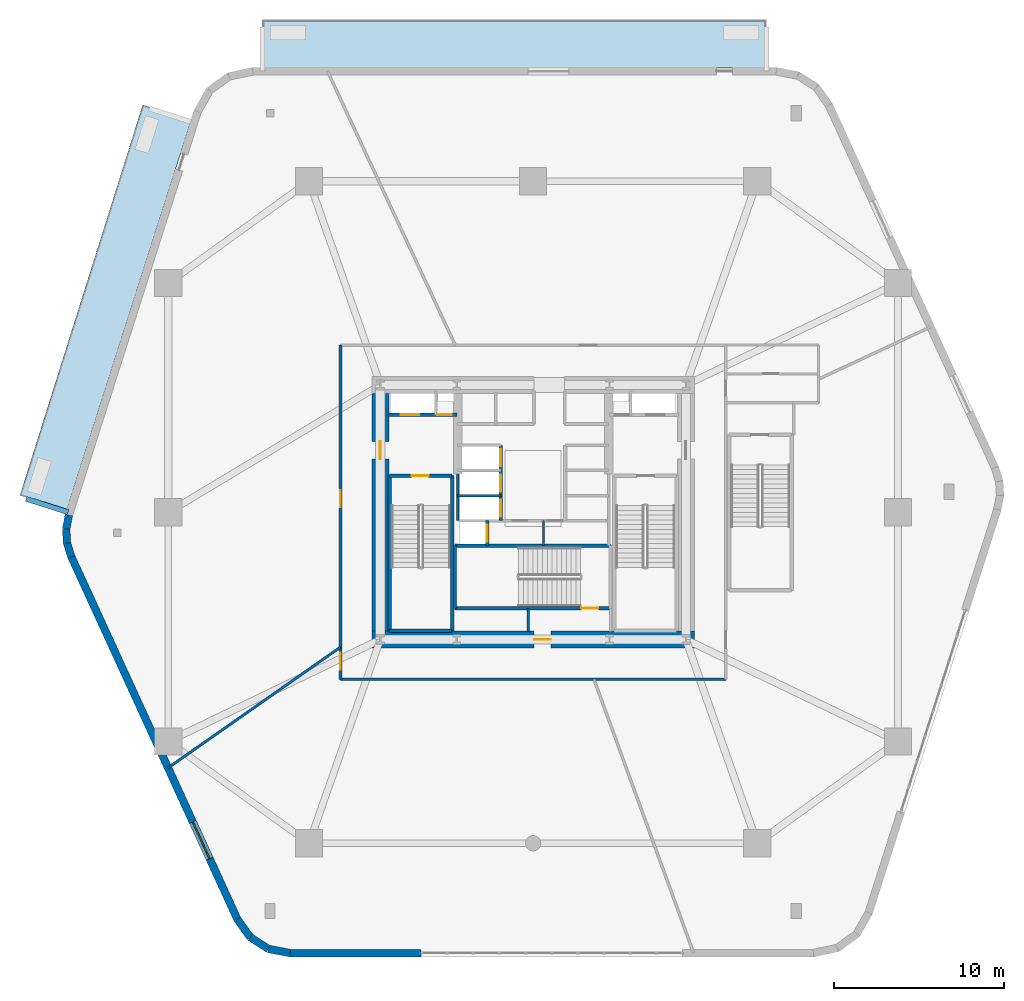
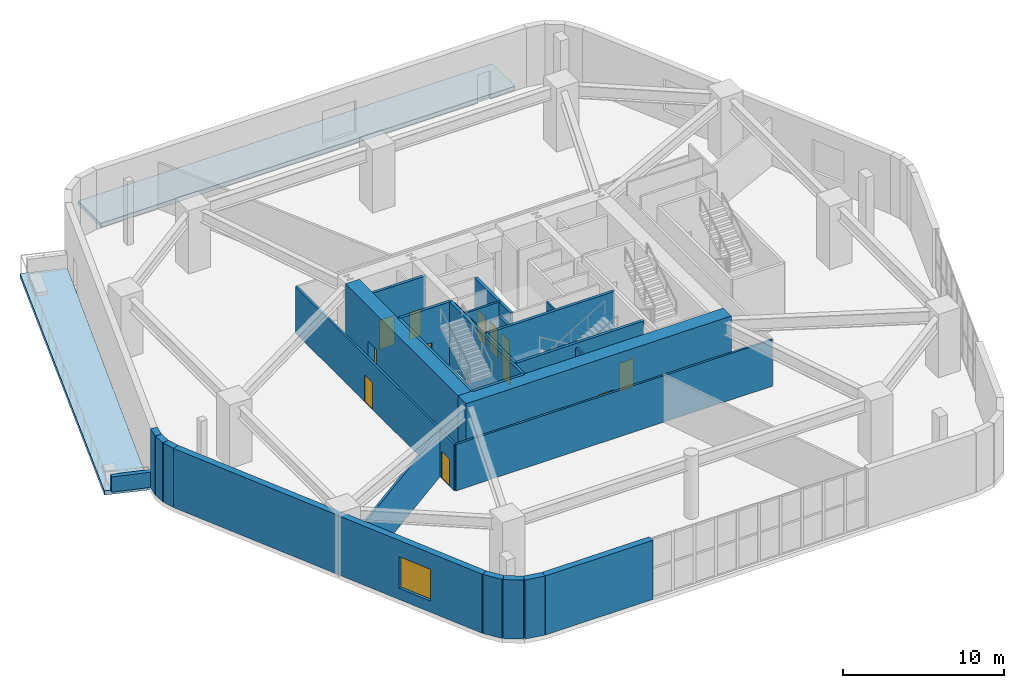
# One storey, part 11 of 15: 28 walls, 12 doors, 2 slabs, 1 window, 13 openings.
"""IFC4 building model written with IfcOpenShell, lengths in metres."""

from ifc_helpers import new_model, si_unit, direction, frame, frame_2d, origin, place, context, subcontext, project, spatial, polyline, rectangle, outline, extrude, material, layer, layer_set, type_object, element, fill, save


model = new_model("IFC4")

# Units and contexts
model_context = context("Model", 3, precision=1e-05, world=origin(), true_north=direction((0.0, 1.0)))
body_context = subcontext(model_context, "Body", "Model", "MODEL_VIEW")
ifc_project = project(units=[si_unit("LENGTHUNIT", "METRE"), si_unit("AREAUNIT", "SQUARE_METRE"), si_unit("VOLUMEUNIT", "CUBIC_METRE"), si_unit("PLANEANGLEUNIT", "RADIAN"), si_unit("MASSUNIT", "GRAM", prefix="KILO")], contexts=[model_context])

# Site, building, storey
site_placement = place(None, origin())
site = spatial("IfcSite", under=ifc_project, at=site_placement, CompositionType="ELEMENT")
building_placement = place(site_placement, origin())
building = spatial("IfcBuilding", under=site, at=building_placement, Name="Kilnhurst Terrace Hotel", CompositionType="ELEMENT")
storey_placement = place(building_placement, frame((0.0, 0.0, 23.39990234375)))
storey = spatial("IfcBuildingStorey", under=building, at=storey_placement, Name="L04", CompositionType="ELEMENT", Elevation=23.39990234375)

# Slabs
ifc_material_1 = material(Name="Concrete C50/60", Category="concrete")
ifc_layer_1 = layer(ifc_material_1, 0.320068359375, Name="Concrete C50/60")
ifc_layer_set_1 = layer_set([ifc_layer_1], Name="Concrete C50/60")
slab_type = type_object("IfcSlabType", Name="SLB-TERR-320", PredefinedType="FLOOR", material=ifc_layer_set_1)
slab_1_placement = place(storey_placement, frame((0.0, 0.0, -0.31982421875)))
element("IfcSlab", 1, at=slab_1_placement, inside=storey, type_object=slab_type, Name="L04 Cantilevered Planted Terrace Slab TERR-1", PredefinedType="FLOOR", context=body_context, shape_type="SweptSolid", body=[
    extrude(outline(polyline([(13.749267578125, 29.0), (13.749267578125, 26.179931640625), (-15.949951171875, 26.179931640625), (-15.949951171875, 29.0), (13.749267578125, 29.0)])), origin(), (0.0, 0.0, 1.0), 0.31982421875),
])
slab_2_placement = place(storey_placement, frame((0.0, 0.0, -0.31982421875)))
element("IfcSlab", 2, at=slab_2_placement, inside=storey, type_object=slab_type, Name="L04 Cantilevered Planted Terrace Slab TERR-2", PredefinedType="FLOOR", context=body_context, shape_type="SweptSolid", body=[
    extrude(outline(polyline([(-20.16796875, 23.0380859375), (-27.49658203125, 0.07080078125), (-30.233154296875, 1.0), (-23.0009765625, 24.0), (-20.16796875, 23.0380859375)])), origin(), (0.0, 0.0, 1.0), 0.31982421875),
])

# Walls
ifc_material_2 = material(Name="Precast concrete C40/50", Category="concrete")
ifc_layer_2 = layer(ifc_material_2, 0.449951171875, Name="Precast concrete C40/50")
ifc_layer_set_2 = layer_set([ifc_layer_2], Name="Precast concrete C40/50")
wall_type_1 = type_object("IfcWallType", Name="WL-BRK-450", PredefinedType="SOLIDWALL", material=ifc_layer_set_2)
wall_1_placement = place(storey_placement, frame((-17.426513671875, -23.98583984375, 0.0), z_axis=(0.0, 0.0, 1.0), x_axis=(0.580668110146, -0.814140372331, 0.0)))
element("IfcWall", 3, at=wall_1_placement, inside=storey, type_object=wall_type_1, Name="L04 Rounded Corner Brick Wall C1.1", PredefinedType="SOLIDWALL", context=body_context, shape_type="SweptSolid", body=[
    extrude(rectangle(XDim=1.296630859375, YDim=0.449951171875, at=frame_2d((0.6484375, 0.0))), origin(), (0.0, 0.0, 1.0), 4.47998046875),
])
wall_2_placement = place(storey_placement, frame((-16.673583984375, -25.04150390625, 0.0), z_axis=(0.0, 0.0, 1.0), x_axis=(0.84167601366, -0.539982859014, 0.0)))
element("IfcWall", 4, at=wall_2_placement, inside=storey, type_object=wall_type_1, Name="L04 Rounded Corner Brick Wall C1.2", PredefinedType="SOLIDWALL", context=body_context, shape_type="SweptSolid", body=[
    extrude(rectangle(XDim=1.274658203125, YDim=0.449951171875, at=frame_2d((0.63720703125, 0.0))), origin(), (0.0, 0.0, 1.0), 4.47998046875),
])
wall_3_placement = place(storey_placement, frame((-15.600830078125, -25.729736328125, 0.0), z_axis=(0.0, 0.0, 1.0), x_axis=(0.981932506301, -0.189231480121, 0.0)))
element("IfcWall", 5, at=wall_3_placement, inside=storey, type_object=wall_type_1, Name="L04 Rounded Corner Brick Wall C1.3", PredefinedType="SOLIDWALL", context=body_context, shape_type="SweptSolid", body=[
    extrude(rectangle(XDim=1.296630859375, YDim=0.449951171875, at=frame_2d((0.6484375, 0.0))), origin(), (0.0, 0.0, 1.0), 4.47998046875),
])
wall_4_placement = place(storey_placement, frame((-27.35791015625, -0.169189453125, 0.0), z_axis=(0.0, 0.0, 1.0), x_axis=(-0.184673610867, -0.982799907127, 0.0)))
element("IfcWall", 6, at=wall_4_placement, inside=storey, type_object=wall_type_1, Name="L04 Rounded Corner Brick Wall C6.1", PredefinedType="SOLIDWALL", context=body_context, shape_type="SweptSolid", body=[
    extrude(rectangle(XDim=0.842041015625, YDim=0.449951171875, at=frame_2d((0.4208984375, 0.0))), origin(), (0.0, 0.0, 1.0), 4.47998046875),
])
wall_5_placement = place(storey_placement, frame((-27.513427734375, -0.996826171875, 0.0), z_axis=(0.0, 0.0, 1.0), x_axis=(0.060139031931, -0.998190010388, 0.0)))
element("IfcWall", 7, at=wall_5_placement, inside=storey, type_object=wall_type_1, Name="L04 Rounded Corner Brick Wall C6.2", PredefinedType="SOLIDWALL", context=body_context, shape_type="SweptSolid", body=[
    extrude(rectangle(XDim=0.828125, YDim=0.449951171875, at=frame_2d((0.4140625, 0.0))), origin(), (0.0, 0.0, 1.0), 4.47998046875),
])
wall_6_placement = place(storey_placement, frame((-27.463623046875, -1.823486328125, 0.0), z_axis=(0.0, 0.0, 1.0), x_axis=(0.301575430082, -0.953442321261, 0.0)))
element("IfcWall", 8, at=wall_6_placement, inside=storey, type_object=wall_type_1, Name="L04 Rounded Corner Brick Wall C6.3", PredefinedType="SOLIDWALL", context=body_context, shape_type="SweptSolid", body=[
    extrude(rectangle(XDim=0.842041015625, YDim=0.449951171875, at=frame_2d((0.4208984375, 0.0))), origin(), (0.0, 0.0, 1.0), 4.47998046875),
])
wall_7_placement = place(storey_placement, frame((-14.32763671875, -25.97509765625, 0.0), z_axis=(0.0, 0.0, 1.0), x_axis=(1.0, 0.0, 0.0)))
element("IfcWall", 9, at=wall_7_placement, inside=storey, type_object=wall_type_1, Name="L04 Face 1 Brick Pier 1", PredefinedType="SOLIDWALL", context=body_context, shape_type="SweptSolid", body=[
    extrude(rectangle(XDim=7.712890625, YDim=0.449951171875, at=frame_2d((3.8564453125, 0.0))), origin(), (0.0, 0.0, 1.0), 4.47998046875),
])

# Wall, opening, window
wall_8_placement = place(storey_placement, frame((-27.209716796875, -2.626220703125, 0.0), z_axis=(0.0, 0.0, 1.0), x_axis=(0.416421752646, -0.909171559126, 0.0)))
wall_8 = element("IfcWall", 10, at=wall_8_placement, inside=storey, type_object=wall_type_1, Name="L04 Exterior Brick Facade Wall F6", PredefinedType="SOLIDWALL", context=body_context, shape_type="SweptSolid", body=[
    extrude(rectangle(XDim=23.493408203125, YDim=0.449951171875, at=frame_2d((11.74658203125, 0.0))), origin(), (0.0, 0.0, 1.0), 4.47998046875),
])
opening_1_placement = place(wall_8_placement, frame((17.173095703125, 0.0, 0.85009765625)))
opening_1 = element("IfcOpeningElement", 11, at=opening_1_placement, cuts=wall_8, Name="Opening W-07", PredefinedType="OPENING", context=body_context, shape_type="SweptSolid", body=[
    extrude(rectangle(XDim=2.39990234375, YDim=2.39990234375, at=frame_2d((1.199951171875, 1.199951171875))), frame((0.0, 0.23486328125, 0.0), z_axis=(0.0, -1.0, 0.0), x_axis=(1.0, 0.0, 0.0)), (0.0, 0.0, 1.0), 0.469970703125),
])
ifc_material_3 = material(Name="Thermally Broken Bronze Aluminium Alloy 6063-T6 and Low-E Glass", Category="aluminium")
window_type = type_object("IfcWindowType", Name="WIN-2400X2400", PartitioningType="SINGLE_PANEL", PredefinedType="WINDOW", material=ifc_material_3)
window_placement = place(opening_1_placement, origin())
window = element("IfcWindow", 12, at=window_placement, inside=storey, type_object=window_type, Name="L04 Deep-Set Masonry Window F6.1", OverallHeight=2.39990234375, OverallWidth=2.39990234375, PartitioningType="SINGLE_PANEL", PredefinedType="WINDOW", context=body_context, shape_type="SweptSolid", body=[
    extrude(rectangle(XDim=2.39990234375, YDim=2.39990234375, at=frame_2d((1.199951171875, 1.199951171875))), frame((0.0, 0.030029296875, 0.0), z_axis=(0.0, -1.0, 0.0), x_axis=(1.0, 0.0, 0.0)), (0.0, 0.0, 1.0), 0.06005859375),
])
fill(opening_1, window)

# Wall, openings, doors
ifc_material_4 = material(Name="Acoustic Double-Gypsum Corridor Partition Assembly")
ifc_layer_3 = layer(ifc_material_4, 0.14990234375, Name="Acoustic Double-Gypsum Corridor Partition Assembly")
ifc_layer_set_3 = layer_set([ifc_layer_3], Name="Acoustic Double-Gypsum Corridor Partition Assembly")
wall_type_2 = type_object("IfcWallType", Name="WL-COR-150", PredefinedType="PARTITIONING", material=ifc_layer_set_3)
wall_9_placement = place(storey_placement, frame((-11.35009765625, -9.85009765625, 0.0), z_axis=(0.0, 0.0, 1.0), x_axis=(0.0, 1.0, 0.0)))
wall_9 = element("IfcWall", 13, at=wall_9_placement, inside=storey, type_object=wall_type_2, Name="L04 Interior Wall WL-L04-COR-01", PredefinedType="PARTITIONING", context=body_context, shape_type="SweptSolid", body=[
    extrude(rectangle(XDim=19.7001953125, YDim=0.14990234375, at=frame_2d((9.85009765625, 0.0))), origin(), (0.0, 0.0, 1.0), 3.52197265625),
])
opening_2_placement = place(wall_9_placement, frame((0.571044921875, 0.0, 0.0)))
opening_2 = element("IfcOpeningElement", 14, at=opening_2_placement, cuts=wall_9, Name="Opening D-10A", PredefinedType="OPENING", context=body_context, shape_type="SweptSolid", body=[
    extrude(rectangle(XDim=1.0, YDim=2.030029296875, at=frame_2d((0.5, 1.01513671875))), frame((0.0, 0.0849609375, 0.0), z_axis=(0.0, -1.0, 0.0), x_axis=(1.0, 0.0, 0.0)), (0.0, 0.0, 1.0), 0.169921875),
])
opening_3_placement = place(wall_9_placement, frame((10.155029296875, 0.0, 0.0)))
opening_3 = element("IfcOpeningElement", 15, at=opening_3_placement, cuts=wall_9, Name="Opening D-10A", PredefinedType="OPENING", context=body_context, shape_type="SweptSolid", body=[
    extrude(rectangle(XDim=1.0, YDim=2.030029296875, at=frame_2d((0.5, 1.01513671875))), frame((0.0, 0.0849609375, 0.0), z_axis=(0.0, -1.0, 0.0), x_axis=(1.0, 0.0, 0.0)), (0.0, 0.0, 1.0), 0.169921875),
])
ifc_material_5 = material(Name="Solid-Core American White Oak Interior Door")
door_type_1 = type_object("IfcDoorType", Name="DR-INT-1000", OperationType="NOTDEFINED", PredefinedType="DOOR", material=ifc_material_5)
door_1_placement = place(opening_2_placement, origin())
door_1 = element("IfcDoor", 16, at=door_1_placement, inside=storey, type_object=door_type_1, Name="L04 Botanical Spa Reception and Hydrotherapy Suite Door", OperationType="SINGLE_SWING_LEFT", OverallHeight=2.030029296875, OverallWidth=1.0, PredefinedType="DOOR", context=body_context, shape_type="SweptSolid", body=[
    extrude(rectangle(XDim=1.0, YDim=2.030029296875, at=frame_2d((0.5, 1.01513671875))), frame((0.0, 0.02490234375, 0.0), z_axis=(0.0, -1.0, 0.0), x_axis=(1.0, 0.0, 0.0)), (0.0, 0.0, 1.0), 0.050048828125),
])
fill(opening_2, door_1)
door_2_placement = place(opening_3_placement, origin())
door_2 = element("IfcDoor", 17, at=door_2_placement, inside=storey, type_object=door_type_1, Name="L04 Spa Locker and Changing Bathroom Suite Door", OperationType="SINGLE_SWING_RIGHT", OverallHeight=2.030029296875, OverallWidth=1.0, PredefinedType="DOOR", context=body_context, shape_type="SweptSolid", body=[
    extrude(rectangle(XDim=1.0, YDim=2.030029296875, at=frame_2d((0.5, 1.01513671875))), frame((0.0, 0.02490234375, 0.0), z_axis=(0.0, -1.0, 0.0), x_axis=(1.0, 0.0, 0.0)), (0.0, 0.0, 1.0), 0.050048828125),
])
fill(opening_3, door_2)

# Wall
wall_10_placement = place(storey_placement, frame((11.35009765625, -9.85009765625, 0.0), z_axis=(0.0, 0.0, 1.0), x_axis=(-1.0, 0.0, 0.0)))
element("IfcWall", 18, at=wall_10_placement, inside=storey, type_object=wall_type_2, Name="L04 Interior Wall WL-L04-COR-04", PredefinedType="PARTITIONING", context=body_context, shape_type="SweptSolid", body=[
    extrude(rectangle(XDim=22.7001953125, YDim=0.14990234375, at=frame_2d((11.35009765625, 0.0))), origin(), (0.0, 0.0, 1.0), 3.52197265625),
])

# Wall, opening, door
ifc_material_6 = material(Name="Concrete C80/95", Category="concrete")
ifc_layer_4 = layer(ifc_material_6, 1.0, Name="Concrete C80/95")
ifc_layer_set_4 = layer_set([ifc_layer_4], Name="Concrete C80/95")
wall_type_3 = type_object("IfcWallType", Name="WL-CORE-1000", PredefinedType="SHEAR", material=ifc_layer_set_4)
wall_11_placement = place(storey_placement, frame((-9.5, -7.5, 0.0), z_axis=(0.0, 0.0, 1.0), x_axis=(1.0, 0.0, 0.0)))
wall_11 = element("IfcWall", 19, at=wall_11_placement, inside=storey, type_object=wall_type_3, Name="L04 Core South Shear Wall", PredefinedType="SHEAR", context=body_context, shape_type="SweptSolid", body=[
    extrude(rectangle(XDim=19.0, YDim=1.0, at=frame_2d((9.5, 0.0))), origin(), (0.0, 0.0, 1.0), 4.800048828125),
])
opening_4_placement = place(wall_11_placement, frame((9.550048828125, 0.0, 0.0)))
opening_4 = element("IfcOpeningElement", 20, at=opening_4_placement, cuts=wall_11, Name="Opening D-90B", PredefinedType="OPENING", context=body_context, shape_type="SweptSolid", body=[
    extrude(rectangle(XDim=1.0, YDim=2.14990234375, at=frame_2d((0.5, 1.074951171875))), frame((0.0, 0.510009765625, 0.0), z_axis=(0.0, -1.0, 0.0), x_axis=(1.0, 0.0, 0.0)), (0.0, 0.0, 1.0), 1.02001953125),
])
ifc_material_7 = material(Name="Painted Hollow Metal Steel ASTM A36 Fire Door", Category="steel")
door_type_2 = type_object("IfcDoorType", Name="DR-FD90-1000", OperationType="NOTDEFINED", PredefinedType="DOOR", material=ifc_material_7)
door_3_placement = place(opening_4_placement, origin())
door_3 = element("IfcDoor", 21, at=door_3_placement, inside=storey, type_object=door_type_2, Name="L04 Stair ST-3 Corridor Door", OperationType="SINGLE_SWING_RIGHT", OverallHeight=2.14990234375, OverallWidth=1.0, PredefinedType="DOOR", context=body_context, shape_type="SweptSolid", body=[
    extrude(rectangle(XDim=1.0, YDim=2.14990234375, at=frame_2d((0.5, 1.074951171875))), frame((0.0, 0.02490234375, 0.0), z_axis=(0.0, -1.0, 0.0), x_axis=(1.0, 0.0, 0.0)), (0.0, 0.0, 1.0), 0.050048828125),
])
fill(opening_4, door_3)

wall_12_placement = place(storey_placement, frame((-9.0, -7.0, 0.0), z_axis=(0.0, 0.0, 1.0), x_axis=(0.0, 1.0, 0.0)))
wall_12 = element("IfcWall", 22, at=wall_12_placement, inside=storey, type_object=wall_type_3, Name="L04 Core West Shear Wall", PredefinedType="SHEAR", context=body_context, shape_type="SweptSolid", body=[
    extrude(rectangle(XDim=14.0, YDim=1.0, at=frame_2d((7.0, 0.0))), origin(), (0.0, 0.0, 1.0), 4.800048828125),
])
opening_5_placement = place(wall_12_placement, frame((10.125, 0.0, 0.0)))
opening_5 = element("IfcOpeningElement", 23, at=opening_5_placement, cuts=wall_12, Name="Opening D-90A", PredefinedType="OPENING", context=body_context, shape_type="SweptSolid", body=[
    extrude(rectangle(XDim=1.050048828125, YDim=2.14990234375, at=frame_2d((0.52490234375, 1.074951171875))), frame((0.0, 0.510009765625, 0.0), z_axis=(0.0, -1.0, 0.0), x_axis=(1.0, 0.0, 0.0)), (0.0, 0.0, 1.0), 1.02001953125),
])
door_type_3 = type_object("IfcDoorType", Name="DR-FD90-1050", OperationType="NOTDEFINED", PredefinedType="DOOR", material=ifc_material_7)
door_4_placement = place(opening_5_placement, origin())
door_4 = element("IfcDoor", 24, at=door_4_placement, inside=storey, type_object=door_type_3, Name="L04 West Firefighting Lobby Door", OperationType="SINGLE_SWING_RIGHT", OverallHeight=2.14990234375, OverallWidth=1.050048828125, PredefinedType="DOOR", context=body_context, shape_type="SweptSolid", body=[
    extrude(rectangle(XDim=1.050048828125, YDim=2.14990234375, at=frame_2d((0.52490234375, 1.074951171875))), frame((0.0, 0.02490234375, 0.0), z_axis=(0.0, -1.0, 0.0), x_axis=(1.0, 0.0, 0.0)), (0.0, 0.0, 1.0), 0.050048828125),
])
fill(opening_5, door_4)

# Walls
ifc_layer_5 = layer(ifc_material_2, 0.300048828125, Name="Precast concrete C40/50")
ifc_layer_set_5 = layer_set([ifc_layer_5], Name="Precast concrete C40/50")
wall_type_4 = type_object("IfcWallType", Name="WL-PAR-300", PredefinedType="PARAPET", material=ifc_layer_set_5)
wall_13_placement = place(storey_placement, frame((-27.394287109375, 0.0, 0.0), z_axis=(0.0, 0.0, 1.0), x_axis=(-0.952680042768, 0.303974893883, 0.0)))
element("IfcWall", 25, at=wall_13_placement, inside=storey, type_object=wall_type_4, Name="L04 Terrace End Parapet Wall TERR-2.2", PredefinedType="PARAPET", context=body_context, shape_type="SweptSolid", body=[
    extrude(rectangle(XDim=2.599853515625, YDim=0.300048828125, at=frame_2d((1.2998046875, 0.0))), origin(), (0.0, 0.0, 1.0), 1.150146484375),
])
ifc_material_8 = material(Name="120 mm Moisture-Resistant Tile-Backed Bathroom Partition")
ifc_layer_6 = layer(ifc_material_8, 0.1201171875, Name="120 mm Moisture-Resistant Tile-Backed Bathroom Partition")
ifc_layer_set_6 = layer_set([ifc_layer_6], Name="120 mm Moisture-Resistant Tile-Backed Bathroom Partition")
wall_type_5 = type_object("IfcWallType", Name="WL-PART-120", PredefinedType="PARTITIONING", material=ifc_layer_set_6)
wall_14_placement = place(storey_placement, frame((0.6201171875, -1.971923828125, 0.0), z_axis=(0.0, 0.0, 1.0), x_axis=(0.0, 1.0, 0.0)))
element("IfcWall", 26, at=wall_14_placement, inside=storey, type_object=wall_type_5, Name="L04 Interior Wall WL-L04-BOH-C1", PredefinedType="PARTITIONING", context=body_context, shape_type="SweptSolid", body=[
    extrude(rectangle(XDim=1.471923828125, YDim=0.1201171875, at=frame_2d((0.73583984375, 0.0))), origin(), (0.0, 0.0, 1.0), 4.47998046875),
])
ifc_material_9 = material(Name="150 mm Acoustic Gypsum Hospitality Partition")
ifc_layer_7 = layer(ifc_material_9, 0.14990234375, Name="150 mm Acoustic Gypsum Hospitality Partition")
ifc_layer_set_7 = layer_set([ifc_layer_7], Name="150 mm Acoustic Gypsum Hospitality Partition")
wall_type_6 = type_object("IfcWallType", Name="WL-PART-150", PredefinedType="PARTITIONING", material=ifc_layer_set_7)
wall_15_placement = place(storey_placement, frame((-11.35009765625, -7.947509765625, 0.0), z_axis=(0.0, 0.0, 1.0), x_axis=(-0.819154257689, -0.573573275275, 0.0)))
element("IfcWall", 27, at=wall_15_placement, inside=storey, type_object=wall_type_6, Name="L04 Interior Wall WL-L04-PDIV-1-1", PredefinedType="PARTITIONING", context=body_context, shape_type="SweptSolid", body=[
    extrude(rectangle(XDim=12.40673828125, YDim=0.14990234375, at=frame_2d((6.203369140625, 0.0))), origin(), (0.0, 0.0, 1.0), 3.52197265625),
])
ifc_material_10 = material(Name="Fire-Rated Gypsum Shaftliner Assembly")
ifc_layer_8 = layer(ifc_material_10, 0.14990234375, Name="Fire-Rated Gypsum Shaftliner Assembly")
ifc_layer_set_8 = layer_set([ifc_layer_8], Name="Fire-Rated Gypsum Shaftliner Assembly")
wall_type_7 = type_object("IfcWallType", Name="WL-SHAFT-150", PredefinedType="PARTITIONING", material=ifc_layer_set_8)
wall_16_placement = place(storey_placement, frame((-0.300048828125, -7.02001953125, 0.0), z_axis=(0.0, 0.0, 1.0), x_axis=(0.0, 1.0, 0.0)))
element("IfcWall", 28, at=wall_16_placement, inside=storey, type_object=wall_type_7, Name="L04 Interior Wall WL-L04-ST3-PSGW", PredefinedType="PARTITIONING", context=body_context, shape_type="SweptSolid", body=[
    extrude(rectangle(XDim=1.362060546875, YDim=0.14990234375, at=frame_2d((0.68115234375, 0.0))), origin(), (0.0, 0.0, 1.0), 4.47998046875),
])
wall_17_placement = place(storey_placement, frame((-4.449951171875, -0.5, 0.0), z_axis=(0.0, 0.0, 1.0), x_axis=(0.0, 1.0, 0.0)))
element("IfcWall", 29, at=wall_17_placement, inside=storey, type_object=wall_type_7, Name="L04 Interior Wall WL-L04-XLOB-W", PredefinedType="PARTITIONING", context=body_context, shape_type="SweptSolid", body=[
    extrude(rectangle(XDim=2.75, YDim=0.14990234375, at=frame_2d((1.375, 0.0))), origin(), (0.0, 0.0, 1.0), 4.47998046875),
])
wall_18_placement = place(storey_placement, frame((-4.449951171875, 0.97998046875, 0.0), z_axis=(0.0, 0.0, 1.0), x_axis=(1.0, 0.0, 0.0)))
element("IfcWall", 30, at=wall_18_placement, inside=storey, type_object=wall_type_7, Name="L04 Interior Wall WL-L04-LR-D1", PredefinedType="PARTITIONING", context=body_context, shape_type="SweptSolid", body=[
    extrude(rectangle(XDim=2.550048828125, YDim=0.14990234375, at=frame_2d((1.27490234375, 0.0))), origin(), (0.0, 0.0, 1.0), 4.47998046875),
])

# Wall, openings, doors
ifc_material_11 = material(Name="Autoclaved Aerated Concrete C30/37 and Gypsum Shaft Assembly", Category="concrete")
ifc_layer_9 = layer(ifc_material_11, 0.199951171875, Name="Autoclaved Aerated Concrete C30/37 and Gypsum Shaft Assembly")
ifc_layer_set_9 = layer_set([ifc_layer_9], Name="Autoclaved Aerated Concrete C30/37 and Gypsum Shaft Assembly")
wall_type_8 = type_object("IfcWallType", Name="WL-SHAFT-200", PredefinedType="PARTITIONING", material=ifc_layer_set_9)
wall_19_placement = place(storey_placement, frame((-8.550048828125, 5.739990234375, 0.0), z_axis=(0.0, 0.0, 1.0), x_axis=(1.0, 0.0, 0.0)))
wall_19 = element("IfcWall", 31, at=wall_19_placement, inside=storey, type_object=wall_type_8, Name="L04 Interior Wall WL-L04-FSAE1-S", PredefinedType="PARTITIONING", context=body_context, shape_type="SweptSolid", body=[
    extrude(rectangle(XDim=4.050048828125, YDim=0.199951171875, at=frame_2d((2.02490234375, 0.0))), origin(), (0.0, 0.0, 1.0), 4.47998046875),
])
opening_6_placement = place(wall_19_placement, frame((0.75, 0.0, 0.0)))
opening_6 = element("IfcOpeningElement", 32, at=opening_6_placement, cuts=wall_19, Name="Opening LD-F1", PredefinedType="OPENING", context=body_context, shape_type="SweptSolid", body=[
    extrude(rectangle(XDim=1.10009765625, YDim=2.199951171875, at=frame_2d((0.550048828125, 1.10009765625))), frame((0.0, 0.10986328125, 0.0), z_axis=(0.0, -1.0, 0.0), x_axis=(1.0, 0.0, 0.0)), (0.0, 0.0, 1.0), 0.219970703125),
])
opening_7_placement = place(wall_19_placement, frame((2.89990234375, 0.0, 0.0)))
opening_7 = element("IfcOpeningElement", 33, at=opening_7_placement, cuts=wall_19, Name="Opening D-60D", PredefinedType="OPENING", context=body_context, shape_type="SweptSolid", body=[
    extrude(rectangle(XDim=0.85009765625, YDim=2.030029296875, at=frame_2d((0.425048828125, 1.01513671875))), frame((0.0, 0.10986328125, 0.0), z_axis=(0.0, -1.0, 0.0), x_axis=(1.0, 0.0, 0.0)), (0.0, 0.0, 1.0), 0.219970703125),
])
ifc_material_12 = material(Name="Painted Hollow Metal Steel ASTM A36 Riser Door", Category="steel")
door_type_4 = type_object("IfcDoorType", Name="DR-FD60-850", OperationType="NOTDEFINED", PredefinedType="DOOR", material=ifc_material_12)
door_5_placement = place(opening_7_placement, origin())
door_5 = element("IfcDoor", 34, at=door_5_placement, inside=storey, type_object=door_type_4, Name="L04 Electrical Riser Door", OperationType="SINGLE_SWING_LEFT", OverallHeight=2.030029296875, OverallWidth=0.85009765625, PredefinedType="DOOR", context=body_context, shape_type="SweptSolid", body=[
    extrude(rectangle(XDim=0.85009765625, YDim=2.030029296875, at=frame_2d((0.425048828125, 1.01513671875))), frame((0.0, 0.02490234375, 0.0), z_axis=(0.0, -1.0, 0.0), x_axis=(1.0, 0.0, 0.0)), (0.0, 0.0, 1.0), 0.050048828125),
])
fill(opening_7, door_5)
ifc_material_13 = material(Name="Bronze-Anodized Stainless Steel AISI 316L Sliding Door", Category="steel")
door_type_5 = type_object("IfcDoorType", Name="DR-LIFT-1100", OperationType="NOTDEFINED", PredefinedType="DOOR", material=ifc_material_13)
door_6_placement = place(opening_6_placement, origin())
door_6 = element("IfcDoor", 35, at=door_6_placement, inside=storey, type_object=door_type_5, Name="L04 FSAE-1 Landing Door", OperationType="SLIDING_TO_LEFT", OverallHeight=2.199951171875, OverallWidth=1.10009765625, PredefinedType="DOOR", context=body_context, shape_type="SweptSolid", body=[
    extrude(rectangle(XDim=1.10009765625, YDim=2.199951171875, at=frame_2d((0.550048828125, 1.10009765625))), frame((0.0, 0.02490234375, 0.0), z_axis=(0.0, -1.0, 0.0), x_axis=(1.0, 0.0, 0.0)), (0.0, 0.0, 1.0), 0.050048828125),
])
fill(opening_6, door_6)

# Wall, opening, door
wall_20_placement = place(storey_placement, frame((-2.699951171875, -1.971923828125, 0.0), z_axis=(0.0, 0.0, 1.0), x_axis=(0.0, 1.0, 0.0)))
wall_20 = element("IfcWall", 36, at=wall_20_placement, inside=storey, type_object=wall_type_8, Name="L04 Interior Wall WL-L04-SRV1-E", PredefinedType="PARTITIONING", context=body_context, shape_type="SweptSolid", body=[
    extrude(rectangle(XDim=1.471923828125, YDim=0.199951171875, at=frame_2d((0.73583984375, 0.0))), origin(), (0.0, 0.0, 1.0), 4.47998046875),
])
opening_8_placement = place(wall_20_placement, frame((0.239990234375, 0.0, 0.0)))
opening_8 = element("IfcOpeningElement", 37, at=opening_8_placement, cuts=wall_20, Name="Opening LD-SV", PredefinedType="OPENING", context=body_context, shape_type="SweptSolid", body=[
    extrude(rectangle(XDim=1.0, YDim=2.199951171875, at=frame_2d((0.5, 1.10009765625))), frame((0.0, 0.10986328125, 0.0), z_axis=(0.0, -1.0, 0.0), x_axis=(1.0, 0.0, 0.0)), (0.0, 0.0, 1.0), 0.219970703125),
])
door_type_6 = type_object("IfcDoorType", Name="DR-LIFT-1000", OperationType="NOTDEFINED", PredefinedType="DOOR", material=ifc_material_13)
door_7_placement = place(opening_8_placement, origin())
door_7 = element("IfcDoor", 38, at=door_7_placement, inside=storey, type_object=door_type_6, Name="L04 Service Lift SRV-1 Landing Door", OperationType="SLIDING_TO_LEFT", OverallHeight=2.199951171875, OverallWidth=1.0, PredefinedType="DOOR", context=body_context, shape_type="SweptSolid", body=[
    extrude(rectangle(XDim=1.0, YDim=2.199951171875, at=frame_2d((0.5, 1.10009765625))), frame((0.0, 0.02490234375, 0.0), z_axis=(0.0, -1.0, 0.0), x_axis=(1.0, 0.0, 0.0)), (0.0, 0.0, 1.0), 0.050048828125),
])
fill(opening_8, door_7)

# Wall, openings, doors
wall_21_placement = place(storey_placement, frame((-1.89990234375, -0.5, 0.0), z_axis=(0.0, 0.0, 1.0), x_axis=(0.0, 1.0, 0.0)))
wall_21 = element("IfcWall", 39, at=wall_21_placement, inside=storey, type_object=wall_type_8, Name="L04 Interior Wall WL-L04-LR-FRONT", PredefinedType="PARTITIONING", context=body_context, shape_type="SweptSolid", body=[
    extrude(rectangle(XDim=4.43994140625, YDim=0.199951171875, at=frame_2d((2.219970703125, 0.0))), origin(), (0.0, 0.0, 1.0), 4.47998046875),
])
opening_9_placement = place(wall_21_placement, frame((0.239990234375, 0.0, 0.0)))
opening_9 = element("IfcOpeningElement", 40, at=opening_9_placement, cuts=wall_21, Name="Opening LD-LR", PredefinedType="OPENING", context=body_context, shape_type="SweptSolid", body=[
    extrude(rectangle(XDim=1.0, YDim=2.199951171875, at=frame_2d((0.5, 1.10009765625))), frame((0.0, 0.10986328125, 0.0), z_axis=(0.0, -1.0, 0.0), x_axis=(1.0, 0.0, 0.0)), (0.0, 0.0, 1.0), 0.219970703125),
])
opening_10_placement = place(wall_21_placement, frame((1.719970703125, 0.0, 0.0)))
opening_10 = element("IfcOpeningElement", 41, at=opening_10_placement, cuts=wall_21, Name="Opening LD-LR", PredefinedType="OPENING", context=body_context, shape_type="SweptSolid", body=[
    extrude(rectangle(XDim=1.0, YDim=2.199951171875, at=frame_2d((0.5, 1.10009765625))), frame((0.0, 0.10986328125, 0.0), z_axis=(0.0, -1.0, 0.0), x_axis=(1.0, 0.0, 0.0)), (0.0, 0.0, 1.0), 0.219970703125),
])
opening_11_placement = place(wall_21_placement, frame((3.199951171875, 0.0, 0.0)))
opening_11 = element("IfcOpeningElement", 42, at=opening_11_placement, cuts=wall_21, Name="Opening LD-LR", PredefinedType="OPENING", context=body_context, shape_type="SweptSolid", body=[
    extrude(rectangle(XDim=1.0, YDim=2.199951171875, at=frame_2d((0.5, 1.10009765625))), frame((0.0, 0.10986328125, 0.0), z_axis=(0.0, -1.0, 0.0), x_axis=(1.0, 0.0, 0.0)), (0.0, 0.0, 1.0), 0.219970703125),
])
door_8_placement = place(opening_9_placement, origin())
door_8 = element("IfcDoor", 43, at=door_8_placement, inside=storey, type_object=door_type_6, Name="L04 Low Rise Lift LR-1 Landing Door", OperationType="SLIDING_TO_LEFT", OverallHeight=2.199951171875, OverallWidth=1.0, PredefinedType="DOOR", context=body_context, shape_type="SweptSolid", body=[
    extrude(rectangle(XDim=1.0, YDim=2.199951171875, at=frame_2d((0.5, 1.10009765625))), frame((0.0, 0.02490234375, 0.0), z_axis=(0.0, -1.0, 0.0), x_axis=(1.0, 0.0, 0.0)), (0.0, 0.0, 1.0), 0.050048828125),
])
fill(opening_9, door_8)
door_9_placement = place(opening_10_placement, origin())
door_9 = element("IfcDoor", 44, at=door_9_placement, inside=storey, type_object=door_type_6, Name="L04 Low Rise Lift LR-2 Landing Door", OperationType="SLIDING_TO_LEFT", OverallHeight=2.199951171875, OverallWidth=1.0, PredefinedType="DOOR", context=body_context, shape_type="SweptSolid", body=[
    extrude(rectangle(XDim=1.0, YDim=2.199951171875, at=frame_2d((0.5, 1.10009765625))), frame((0.0, 0.02490234375, 0.0), z_axis=(0.0, -1.0, 0.0), x_axis=(1.0, 0.0, 0.0)), (0.0, 0.0, 1.0), 0.050048828125),
])
fill(opening_10, door_9)
door_10_placement = place(opening_11_placement, origin())
door_10 = element("IfcDoor", 45, at=door_10_placement, inside=storey, type_object=door_type_6, Name="L04 Low Rise Lift LR-3 Landing Door", OperationType="SLIDING_TO_LEFT", OverallHeight=2.199951171875, OverallWidth=1.0, PredefinedType="DOOR", context=body_context, shape_type="SweptSolid", body=[
    extrude(rectangle(XDim=1.0, YDim=2.199951171875, at=frame_2d((0.5, 1.10009765625))), frame((0.0, 0.02490234375, 0.0), z_axis=(0.0, -1.0, 0.0), x_axis=(1.0, 0.0, 0.0)), (0.0, 0.0, 1.0), 0.050048828125),
])
fill(opening_11, door_10)

# Walls
ifc_layer_10 = layer(ifc_material_1, 0.199951171875, Name="Concrete C50/60")
ifc_layer_set_10 = layer_set([ifc_layer_10], Name="Concrete C50/60")
wall_type_9 = type_object("IfcWallType", Name="WL-STAIR-RC-200", PredefinedType="SHEAR", material=ifc_layer_set_10)
for number, where, z_axis, x_axis, name in (
    (46, (-8.4580078125, -6.985107421875, 0.0), (0.0, 0.0, 1.0), (0.0, 1.0, 0.0), "L04 Structural Stair Shaft Wall WL-L04-ST1-W"),
    (47, (-4.77197265625, -6.985107421875, 0.0), (0.0, 0.0, 1.0), (0.0, 1.0, 0.0), "L04 Structural Stair Shaft Wall WL-L04-ST1-E"),
):
    element("IfcWall", number, at=place(storey_placement, frame(where, z_axis=z_axis, x_axis=x_axis)), inside=storey, type_object=wall_type_9, Name=name, PredefinedType="SHEAR", context=body_context, shape_type="SweptSolid", body=[
        extrude(rectangle(XDim=9.14306640625, YDim=0.199951171875, at=frame_2d((4.571533203125, 0.0))), origin(), (0.0, 0.0, 1.0), 4.800048828125),
    ])
wall_22_placement = place(storey_placement, frame((-8.4580078125, -6.985107421875, 0.0), z_axis=(0.0, 0.0, 1.0), x_axis=(1.0, 0.0, 0.0)))
element("IfcWall", 48, at=wall_22_placement, inside=storey, type_object=wall_type_9, Name="L04 Structural Stair Shaft Wall WL-L04-ST1-S", PredefinedType="SHEAR", context=body_context, shape_type="SweptSolid", body=[
    extrude(rectangle(XDim=3.68603515625, YDim=0.199951171875, at=frame_2d((1.843017578125, 0.0))), origin(), (0.0, 0.0, 1.0), 4.800048828125),
])

# Wall, opening, door
wall_23_placement = place(storey_placement, frame((-8.4580078125, 2.157958984375, 0.0), z_axis=(0.0, 0.0, 1.0), x_axis=(1.0, 0.0, 0.0)))
wall_23 = element("IfcWall", 49, at=wall_23_placement, inside=storey, type_object=wall_type_9, Name="L04 Structural Stair Shaft Wall WL-L04-ST1-N", PredefinedType="SHEAR", context=body_context, shape_type="SweptSolid", body=[
    extrude(rectangle(XDim=3.68603515625, YDim=0.199951171875, at=frame_2d((1.843017578125, 0.0))), origin(), (0.0, 0.0, 1.0), 4.800048828125),
])
opening_12_placement = place(wall_23_placement, frame((1.300048828125, 0.0, 0.0)))
opening_12 = element("IfcOpeningElement", 50, at=opening_12_placement, cuts=wall_23, Name="Opening D-90B", PredefinedType="OPENING", context=body_context, shape_type="SweptSolid", body=[
    extrude(rectangle(XDim=1.0, YDim=2.14990234375, at=frame_2d((0.5, 1.074951171875))), frame((0.0, 0.10986328125, 0.0), z_axis=(0.0, -1.0, 0.0), x_axis=(1.0, 0.0, 0.0)), (0.0, 0.0, 1.0), 0.219970703125),
])
door_11_placement = place(opening_12_placement, origin())
door_11 = element("IfcDoor", 51, at=door_11_placement, inside=storey, type_object=door_type_2, Name="L04 Stair ST-1 Door", OperationType="SINGLE_SWING_LEFT", OverallHeight=2.14990234375, OverallWidth=1.0, PredefinedType="DOOR", context=body_context, shape_type="SweptSolid", body=[
    extrude(rectangle(XDim=1.0, YDim=2.14990234375, at=frame_2d((0.5, 1.074951171875))), frame((0.0, 0.02490234375, 0.0), z_axis=(0.0, -1.0, 0.0), x_axis=(1.0, 0.0, 0.0)), (0.0, 0.0, 1.0), 0.050048828125),
])
fill(opening_12, door_11)

# Wall
wall_24_placement = place(storey_placement, frame((-4.60791015625, -5.657958984375, 0.0), z_axis=(0.0, 0.0, 1.0), x_axis=(0.0, 1.0, 0.0)))
element("IfcWall", 52, at=wall_24_placement, inside=storey, type_object=wall_type_9, Name="L04 Structural Stair Shaft Wall WL-L04-ST3-W", PredefinedType="SHEAR", context=body_context, shape_type="SweptSolid", body=[
    extrude(rectangle(XDim=3.68603515625, YDim=0.199951171875, at=frame_2d((1.843017578125, 0.0))), origin(), (0.0, 0.0, 1.0), 4.800048828125),
])

# Wall, opening, door
wall_25_placement = place(storey_placement, frame((-4.60791015625, -5.657958984375, 0.0), z_axis=(0.0, 0.0, 1.0), x_axis=(1.0, 0.0, 0.0)))
wall_25 = element("IfcWall", 53, at=wall_25_placement, inside=storey, type_object=wall_type_9, Name="L04 Structural Stair Shaft Wall WL-L04-ST3-S", PredefinedType="SHEAR", context=body_context, shape_type="SweptSolid", body=[
    extrude(rectangle(XDim=9.166015625, YDim=0.199951171875, at=frame_2d((4.5830078125, 0.0))), origin(), (0.0, 0.0, 1.0), 4.800048828125),
])
opening_13_placement = place(wall_25_placement, frame((7.449951171875, 0.0, 0.0)))
opening_13 = element("IfcOpeningElement", 54, at=opening_13_placement, cuts=wall_25, Name="Opening D-90B", PredefinedType="OPENING", context=body_context, shape_type="SweptSolid", body=[
    extrude(rectangle(XDim=1.0, YDim=2.14990234375, at=frame_2d((0.5, 1.074951171875))), frame((0.0, 0.10986328125, 0.0), z_axis=(0.0, -1.0, 0.0), x_axis=(1.0, 0.0, 0.0)), (0.0, 0.0, 1.0), 0.219970703125),
])
door_12_placement = place(opening_13_placement, origin())
door_12 = element("IfcDoor", 55, at=door_12_placement, inside=storey, type_object=door_type_2, Name="L04 Stair ST-3 Shaft Door", OperationType="SINGLE_SWING_LEFT", OverallHeight=2.14990234375, OverallWidth=1.0, PredefinedType="DOOR", context=body_context, shape_type="SweptSolid", body=[
    extrude(rectangle(XDim=1.0, YDim=2.14990234375, at=frame_2d((0.5, 1.074951171875))), frame((0.0, 0.02490234375, 0.0), z_axis=(0.0, -1.0, 0.0), x_axis=(1.0, 0.0, 0.0)), (0.0, 0.0, 1.0), 0.050048828125),
])
fill(opening_13, door_12)

# Wall
wall_26_placement = place(storey_placement, frame((-4.60791015625, -1.971923828125, 0.0), z_axis=(0.0, 0.0, 1.0), x_axis=(1.0, 0.0, 0.0)))
element("IfcWall", 56, at=wall_26_placement, inside=storey, type_object=wall_type_9, Name="L04 Structural Stair Shaft Wall WL-L04-ST3-N", PredefinedType="SHEAR", context=body_context, shape_type="SweptSolid", body=[
    extrude(rectangle(XDim=9.166015625, YDim=0.199951171875, at=frame_2d((4.5830078125, 0.0))), origin(), (0.0, 0.0, 1.0), 4.800048828125),
])

save(model, "model.ifc")
